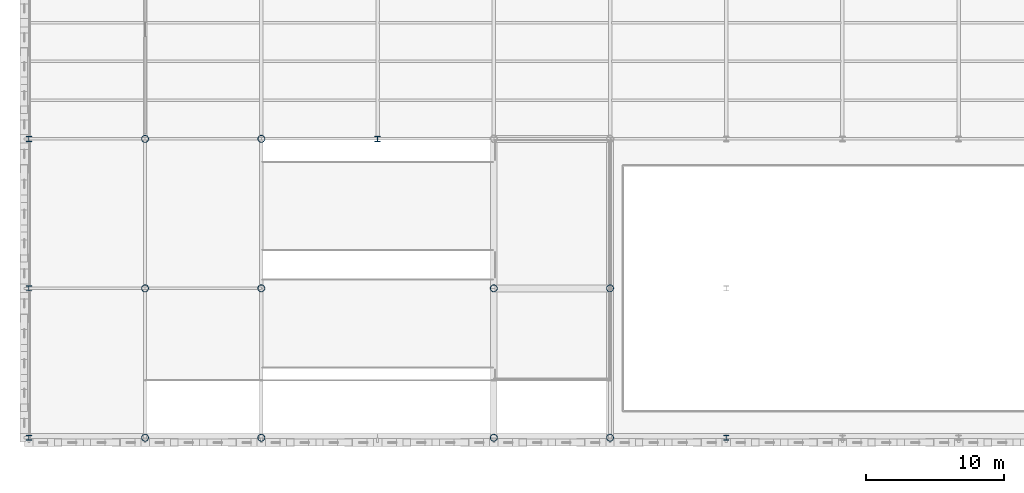
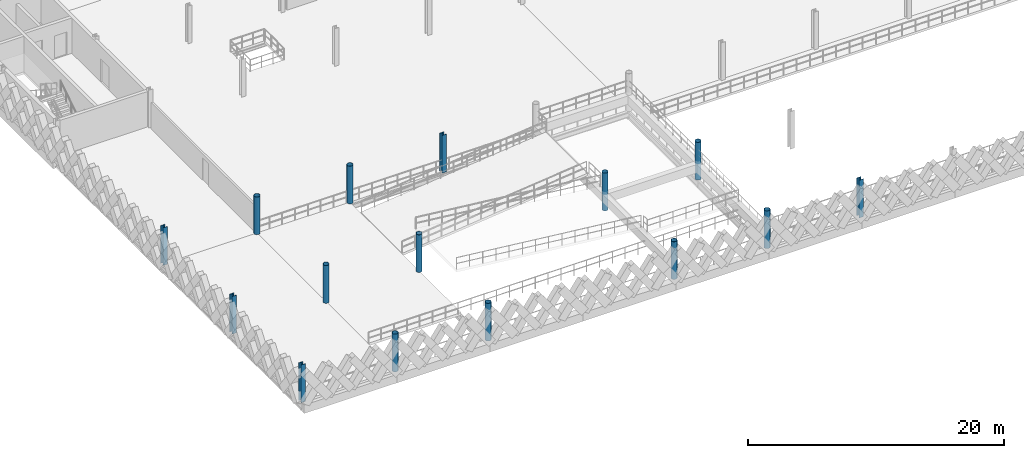
# One storey, part 1 of 101: 15 columns.
"""IFC4 building model written with IfcOpenShell, lengths in metres."""

from ifc_helpers import new_model, si_unit, direction, frame, origin, origin_2d, place, context, subcontext, project, spatial, hollow_circle, i_section, extrude, material, material_profile, profile_set, type_object, element, save


model = new_model("IFC4")

# Units and contexts
model_context = context("Model", 3, precision=1e-05, world=origin(), true_north=direction((0.0, 1.0)))
body_context = subcontext(model_context, "Body", "Model", "MODEL_VIEW")
ifc_project = project(units=[si_unit("LENGTHUNIT", "METRE"), si_unit("AREAUNIT", "SQUARE_METRE"), si_unit("VOLUMEUNIT", "CUBIC_METRE"), si_unit("PLANEANGLEUNIT", "RADIAN"), si_unit("MASSUNIT", "GRAM", prefix="KILO"), si_unit("THERMODYNAMICTEMPERATUREUNIT", "KELVIN"), si_unit("POWERUNIT", "WATT")], contexts=[model_context])

# Site, building, storey
site_placement = place(None, origin())
site = spatial("IfcSite", under=ifc_project, at=site_placement, CompositionType="ELEMENT")
building_placement = place(site_placement, origin())
building = spatial("IfcBuilding", under=site, at=building_placement, Name="Tembeka Court Mobility Hub", CompositionType="ELEMENT")
storey_placement = place(building_placement, frame((0.0, 0.0, 5.39990234375)))
storey = spatial("IfcBuildingStorey", under=building, at=storey_placement, Name="L01", CompositionType="ELEMENT", Elevation=5.39990234375)

# Columns
ifc_material = material(Name="Steel S355", Category="steel")
ifc_material_profile_1 = material_profile(ifc_material, i_section(OverallWidth=0.39501953125, OverallDepth=0.381103515625, WebThickness=0.018310546875, FlangeThickness=0.0302734375, FilletRadius=0.01513671875, at=origin_2d()), Name="UKC 356x406x235")
ifc_profile_set_1 = profile_set([ifc_material_profile_1], Name="Steel S355")
column_type_1 = type_object("IfcColumnType", Name="COL-C02", PredefinedType="COLUMN", material=ifc_profile_set_1)
for number, where, z_axis, x_axis, name in (
    (1, (0.0, 0.0, 0.0), (0.0, 0.0, 1.0), (1.0, 0.0, 0.0), "Column C02 (L01-001)"),
    (2, (0.0, 10.800048828125, 0.0), (0.0, 0.0, 1.0), (1.0, 0.0, 0.0), "Column C02 (L01-002)"),
    (3, (0.0, 21.60009765625, 0.0), (0.0, 0.0, 1.0), (1.0, 0.0, 0.0), "Column C02 (L01-003)"),
    (4, (25.199951171875, 21.60009765625, 0.0), (0.0, 0.0, 1.0), (1.0, 0.0, 0.0), "Column C02 (L01-038)"),
    (5, (50.39990234375, 0.0, 0.0), (0.0, 0.0, 1.0), (1.0, 0.0, 0.0), "Column C02 (L01-071)"),
):
    element("IfcColumn", number, at=place(storey_placement, frame(where, z_axis=z_axis, x_axis=x_axis)), inside=storey, type_object=column_type_1, Name=name, PredefinedType="COLUMN", context=body_context, shape_type="SweptSolid", body=[
        extrude(i_section(OverallWidth=0.39501953125, OverallDepth=0.381103515625, WebThickness=0.018310546875, FlangeThickness=0.0302734375, FilletRadius=0.01513671875, at=origin_2d()), origin(), (0.0, 0.0, 1.0), 3.60009765625),
    ])
ifc_material_profile_2 = material_profile(ifc_material, hollow_circle(Radius=0.25390625, WallThickness=0.01611328125, at=origin_2d()), Name="CHS 508x16")
ifc_profile_set_2 = profile_set([ifc_material_profile_2], Name="Steel S355")
column_type_2 = type_object("IfcColumnType", Name="COL-C08", PredefinedType="COLUMN", material=ifc_profile_set_2)
for number, where, z_axis, x_axis, name in (
    (6, (8.39990234375, 0.0, 0.0), (0.0, 0.0, 1.0), (1.0, 0.0, 0.0), "Column C08 (L01-013)"),
    (7, (8.39990234375, 10.800048828125, 0.0), (0.0, 0.0, 1.0), (1.0, 0.0, 0.0), "Column C08 (L01-014)"),
    (8, (8.39990234375, 21.60009765625, 0.0), (0.0, 0.0, 1.0), (1.0, 0.0, 0.0), "Column C08 (L01-015)"),
    (9, (16.800048828125, 0.0, 0.0), (0.0, 0.0, 1.0), (1.0, 0.0, 0.0), "Column C08 (L01-025)"),
    (10, (16.800048828125, 10.800048828125, 0.0), (0.0, 0.0, 1.0), (1.0, 0.0, 0.0), "Column C08 (L01-026)"),
    (11, (16.800048828125, 21.60009765625, 0.0), (0.0, 0.0, 1.0), (1.0, 0.0, 0.0), "Column C08 (L01-027)"),
    (12, (33.60009765625, 0.0, 0.0), (0.0, 0.0, 1.0), (1.0, 0.0, 0.0), "Column C08 (L01-047)"),
    (13, (33.60009765625, 10.800048828125, 0.0), (0.0, 0.0, 1.0), (1.0, 0.0, 0.0), "Column C08 (L01-048)"),
    (14, (42.0, 0.0, 0.0), (0.0, 0.0, 1.0), (1.0, 0.0, 0.0), "Column C08 (L01-059)"),
    (15, (42.0, 10.800048828125, 0.0), (0.0, 0.0, 1.0), (1.0, 0.0, 0.0), "Column C08 (L01-060)"),
):
    element("IfcColumn", number, at=place(storey_placement, frame(where, z_axis=z_axis, x_axis=x_axis)), inside=storey, type_object=column_type_2, Name=name, PredefinedType="COLUMN", context=body_context, shape_type="SweptSolid", body=[
        extrude(hollow_circle(Radius=0.25390625, WallThickness=0.01611328125, at=origin_2d()), origin(), (0.0, 0.0, 1.0), 3.60009765625),
    ])

save(model, "model.ifc")
